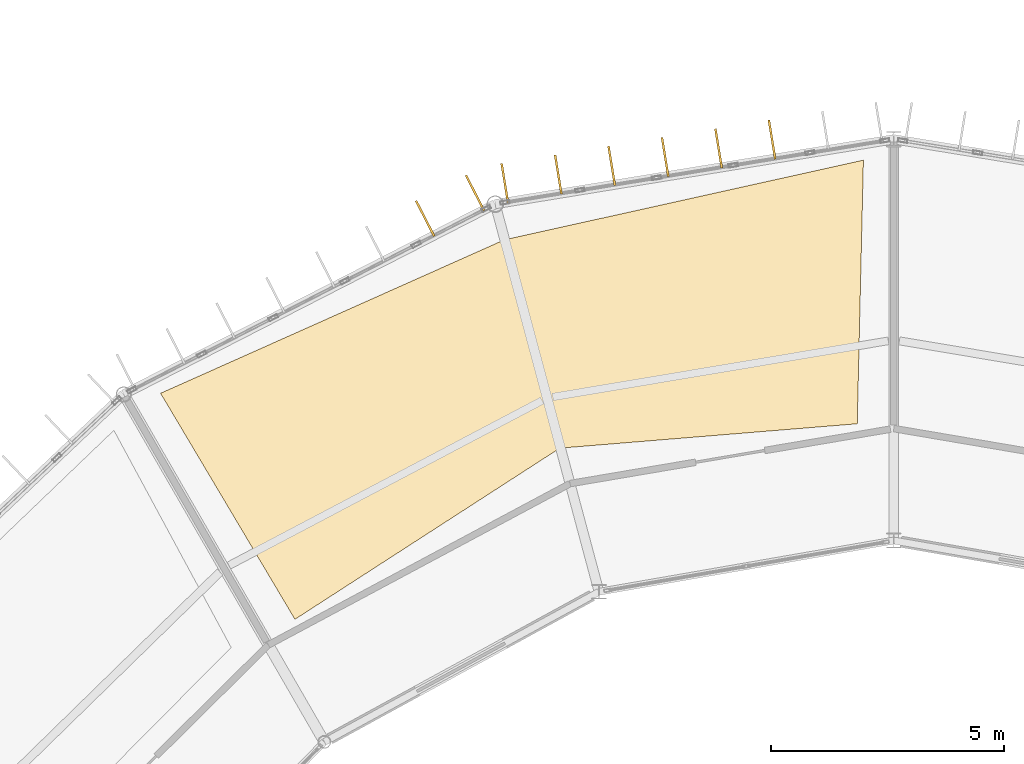
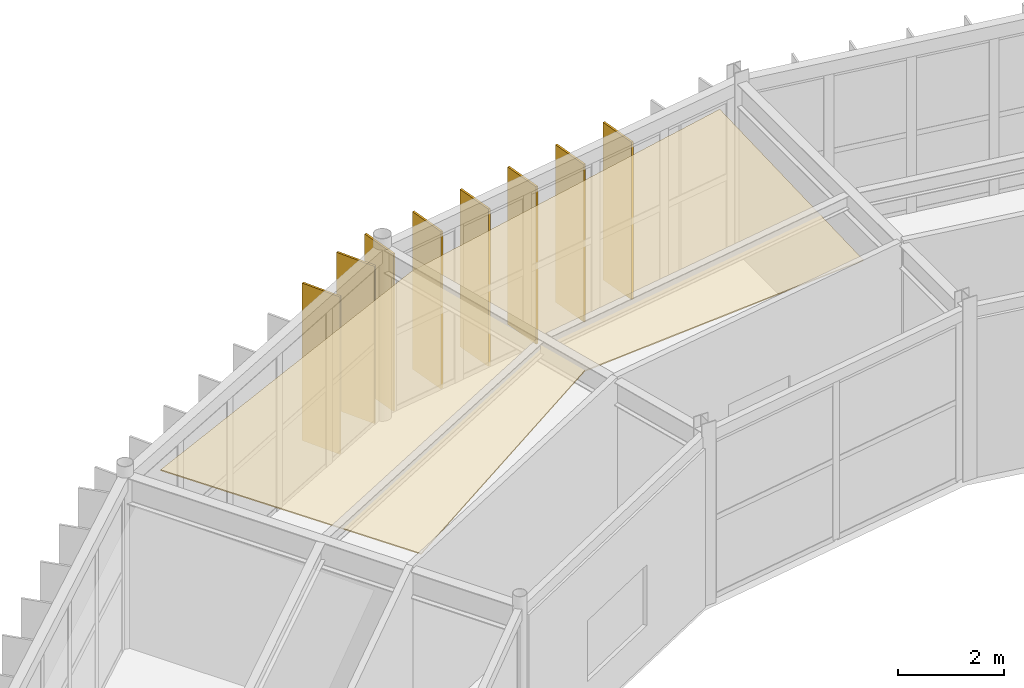
# One storey, part 142 of 147: 8 shading devices, 1 covering.
"""IFC4 building model written with IfcOpenShell, lengths in metres."""

from ifc_helpers import new_model, si_unit, direction, frame, origin, origin_2d, place, context, subcontext, project, spatial, polyline, rectangle, outline, extrude, material, layer, layer_set, type_object, element, save


model = new_model("IFC4")

# Units and contexts
model_context = context("Model", 3, precision=1e-05, world=origin(), true_north=direction((0.0, 1.0)))
body_context = subcontext(model_context, "Body", "Model", "MODEL_VIEW")
ifc_project = project(units=[si_unit("LENGTHUNIT", "METRE"), si_unit("AREAUNIT", "SQUARE_METRE"), si_unit("VOLUMEUNIT", "CUBIC_METRE"), si_unit("PLANEANGLEUNIT", "RADIAN"), si_unit("MASSUNIT", "GRAM", prefix="KILO")], contexts=[model_context])

# Site, building, storey
site_placement = place(None, origin())
site = spatial("IfcSite", under=ifc_project, at=site_placement, CompositionType="ELEMENT")
building_placement = place(site_placement, origin())
building = spatial("IfcBuilding", under=site, at=building_placement, Name="Karori Crest Natural Sciences Institute", CompositionType="ELEMENT")
storey_placement = place(building_placement, frame((0.0, 0.0, 9.10009765625)))
storey = spatial("IfcBuildingStorey", under=building, at=storey_placement, Name="L02", CompositionType="ELEMENT", Elevation=9.10009765625)

# Covering
ifc_material_1 = material(Name="Acoustic mineral fibre ceiling tile")
ifc_layer_1 = layer(ifc_material_1, 0.02490234375, Name="Acoustic mineral fibre ceiling tile")
ifc_layer_set_1 = layer_set([ifc_layer_1], Name="Acoustic mineral fibre ceiling tile")
covering_type = type_object("IfcCoveringType", Name="CVT-CEIL", PredefinedType="CEILING", material=ifc_layer_set_1)
covering_placement = place(storey_placement, frame((0.0, 0.0, 3.704833984375)))
element("IfcCovering", 1, at=covering_placement, inside=storey, type_object=covering_type, Name="Acoustic ceiling CLG-0067", PredefinedType="CEILING", context=body_context, shape_type="SweptSolid", body=[
    extrude(outline(polyline([(59.243896484375, 84.079833984375), (65.61669921875, 84.602783203125), (65.749267578125, 90.251953125), (58.0546875, 88.54443359375), (50.689697265625, 85.256591796875), (53.568603515625, 80.412841796875), (59.243896484375, 84.079833984375)])), origin(), (0.0, 0.0, 1.0), 0.025146484375),
])

# Shading devices
ifc_material_2 = material(Name="Anodised architectural aluminium 6063-T6", Category="aluminium")
ifc_layer_2 = layer(ifc_material_2, 0.044921875, Name="Anodised architectural aluminium 6063-T6")
ifc_layer_set_2 = layer_set([ifc_layer_2], Name="Anodised architectural aluminium 6063-T6")
shading_device_type = type_object("IfcShadingDeviceType", Name="SDT-FIN", PredefinedType="USERDEFINED", material=ifc_layer_set_2)
for number, where, z_axis, x_axis, name in (
    (2, (58.065185546875, 89.7587890625, 0.0), (0.0, 0.0, 1.0), (-0.16065643331, 0.987010390237, 0.0), "Vertical solar fin FN-0256"),
    (3, (59.210693359375, 89.945068359375, 0.0), (0.0, 0.0, 1.0), (-0.16065643331, 0.987010390237, 0.0), "Vertical solar fin FN-0257"),
    (4, (60.355712890625, 90.131591796875, 0.0), (0.0, 0.0, 1.0), (-0.16065643331, 0.987010390237, 0.0), "Vertical solar fin FN-0258"),
    (5, (61.5009765625, 90.318115234375, 0.0), (0.0, 0.0, 1.0), (-0.16065643331, 0.987010390237, 0.0), "Vertical solar fin FN-0259"),
    (6, (62.646240234375, 90.50439453125, 0.0), (0.0, 0.0, 1.0), (-0.16065643331, 0.987010390237, 0.0), "Vertical solar fin FN-0260"),
    (7, (63.79150390625, 90.69091796875, 0.0), (0.0, 0.0, 1.0), (-0.16065643331, 0.987010390237, 0.0), "Vertical solar fin FN-0261"),
    (8, (56.357666015625, 89.001708984375, 0.0), (0.0, 0.0, 1.0), (-0.455832320655, 0.890065669176, 0.0), "Vertical solar fin FN-0270"),
    (9, (57.426513671875, 89.549072265625, 0.0), (0.0, 0.0, 1.0), (-0.455832320655, 0.890065669176, 0.0), "Vertical solar fin FN-0271"),
):
    element("IfcShadingDevice", number, at=place(storey_placement, frame(where, z_axis=z_axis, x_axis=x_axis)), inside=storey, type_object=shading_device_type, Name=name, ObjectType="SOLAR_FIN", PredefinedType="USERDEFINED", context=body_context, shape_type="SweptSolid", body=[
        extrude(rectangle(XDim=0.85009765625, YDim=0.044921875, at=origin_2d()), origin(), (0.0, 0.0, 1.0), 3.625),
    ])

save(model, "model.ifc")
